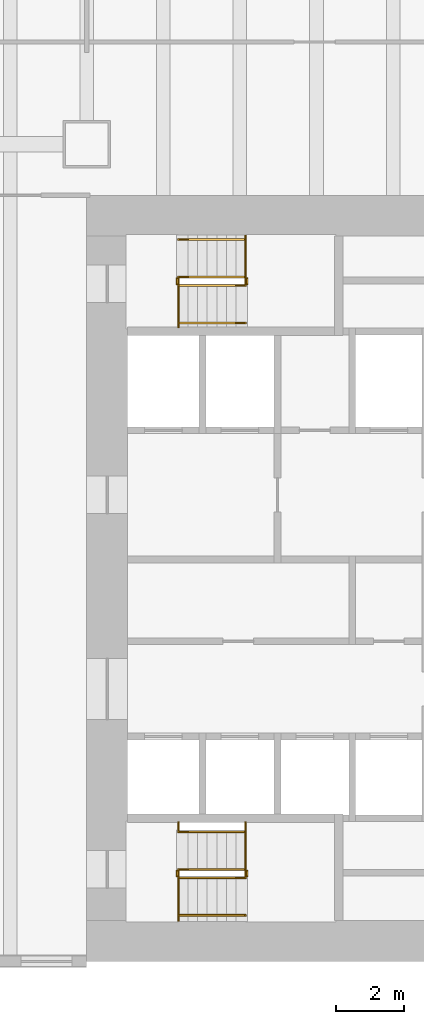
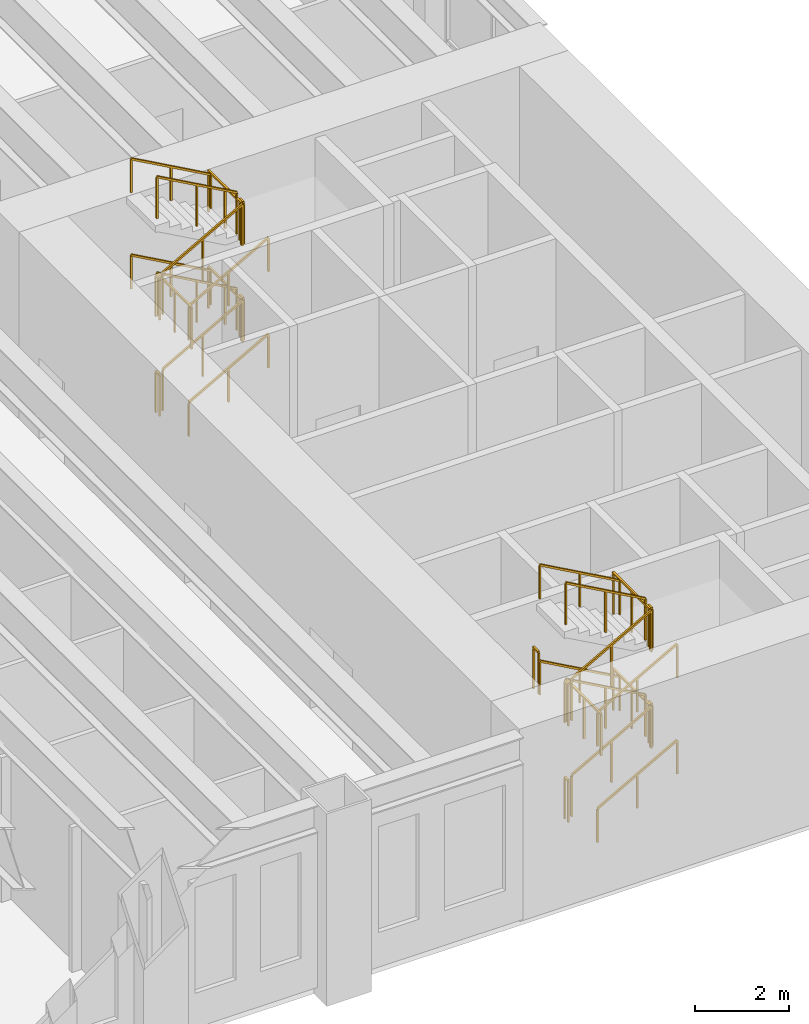
# One storey, part 18 of 19: 31 railings.
"""IFC4 building model written with IfcOpenShell, lengths in metres."""

from ifc_helpers import new_model, si_unit, direction, frame, origin, origin_2d, place, context, subcontext, project, spatial, rectangle, extrude, material, type_object, element, save


model = new_model("IFC4")

# Units and contexts
model_context = context("Model", 3, precision=1e-05, world=origin(), true_north=direction((0.0, 1.0)))
body_context = subcontext(model_context, "Body", "Model", "MODEL_VIEW")
ifc_project = project(units=[si_unit("LENGTHUNIT", "METRE"), si_unit("AREAUNIT", "SQUARE_METRE"), si_unit("VOLUMEUNIT", "CUBIC_METRE"), si_unit("PLANEANGLEUNIT", "RADIAN"), si_unit("MASSUNIT", "GRAM", prefix="KILO")], contexts=[model_context])

# Site, building, storey
site_placement = place(None, origin())
site = spatial("IfcSite", under=ifc_project, at=site_placement, CompositionType="ELEMENT")
building_placement = place(site_placement, origin())
building = spatial("IfcBuilding", under=site, at=building_placement, Name="Sennacour Bend Tower", CompositionType="ELEMENT")
storey_placement = place(building_placement, frame((0.0, 0.0, 19.0)))
storey = spatial("IfcBuildingStorey", under=building, at=storey_placement, Name="L03", CompositionType="ELEMENT", Elevation=19.0)

# Railings
ifc_material = material(Name="Stainless steel", Category="steel")
railing_type_1 = type_object("IfcRailingType", Name="RL-GUARD-1100", PredefinedType="GUARDRAIL", material=ifc_material)
railing_1_placement = place(storey_placement, frame((56.699951171875, 2.449951171875, 0.15625)))
element("IfcRailing", 1, at=railing_1_placement, inside=storey, type_object=railing_type_1, Name="L03 SA1 stair guard 1", PredefinedType="GUARDRAIL", context=body_context, shape_type="SweptSolid", body=[
    extrude(rectangle(XDim=0.048095703125, YDim=0.048095703125, at=origin_2d()), frame((0.0, 0.0, 1.076171875), z_axis=(0.873232148454, 0.0, 0.487304437602), x_axis=(0.0, 1.0, 0.0)), (0.0, 0.0, 1.0), 2.244384765625),
    extrude(rectangle(XDim=0.0419921875, YDim=0.0419921875, at=origin_2d()), origin(), (0.0, 0.0, 1.0), 1.052001953125),
    extrude(rectangle(XDim=0.0419921875, YDim=0.0419921875, at=origin_2d()), frame((0.97998046875, 0.0, 0.546875)), (0.0, 0.0, 1.0), 1.052001953125),
    extrude(rectangle(XDim=0.0419921875, YDim=0.0419921875, at=origin_2d()), frame((1.9599609375, 0.0, 1.09375)), (0.0, 0.0, 1.0), 1.052001953125),
])
railing_2_placement = place(storey_placement, frame((58.7099609375, 2.5, 1.25)))
element("IfcRailing", 2, at=railing_2_placement, inside=storey, type_object=railing_type_1, Name="L03 SA1 stair guard 2", PredefinedType="GUARDRAIL", context=body_context, shape_type="SweptSolid", body=[
    extrude(rectangle(XDim=0.048095703125, YDim=0.048095703125, at=origin_2d()), frame((0.0, 0.0, 1.076171875), z_axis=(0.0, 1.0, 0.0), x_axis=(-1.0, 0.0, 0.0)), (0.0, 0.0, 1.0), 0.14990234375),
    extrude(rectangle(XDim=0.0419921875, YDim=0.0419921875, at=origin_2d()), origin(), (0.0, 0.0, 1.0), 1.052001953125),
    extrude(rectangle(XDim=0.0419921875, YDim=0.0419921875, at=origin_2d()), frame((0.0, 0.14990234375, 0.0)), (0.0, 0.0, 1.0), 1.052001953125),
])
railing_3_placement = place(storey_placement, frame((58.659912109375, 2.699951171875, 1.40625)))
element("IfcRailing", 3, at=railing_3_placement, inside=storey, type_object=railing_type_1, Name="L03 SA1 stair guard 4", PredefinedType="GUARDRAIL", context=body_context, shape_type="SweptSolid", body=[
    extrude(rectangle(XDim=0.048095703125, YDim=0.048095703125, at=origin_2d()), frame((0.0, 0.0, 1.076171875), z_axis=(-0.873232148454, 0.0, 0.487304437602), x_axis=(0.0, -1.0, 0.0)), (0.0, 0.0, 1.0), 2.244384765625),
    extrude(rectangle(XDim=0.0419921875, YDim=0.0419921875, at=origin_2d()), origin(), (0.0, 0.0, 1.0), 1.052001953125),
    extrude(rectangle(XDim=0.0419921875, YDim=0.0419921875, at=origin_2d()), frame((-0.97998046875, 0.0, 0.546875)), (0.0, 0.0, 1.0), 1.052001953125),
    extrude(rectangle(XDim=0.0419921875, YDim=0.0419921875, at=origin_2d()), frame((-1.9599609375, 0.0, 1.09375)), (0.0, 0.0, 1.0), 1.052001953125),
])
railing_4_placement = place(storey_placement, frame((56.64990234375, 2.5, 2.5)))
element("IfcRailing", 4, at=railing_4_placement, inside=storey, type_object=railing_type_1, Name="L03 SA1 stair guard 5", PredefinedType="GUARDRAIL", context=body_context, shape_type="SweptSolid", body=[
    extrude(rectangle(XDim=0.048095703125, YDim=0.048095703125, at=origin_2d()), frame((0.0, 0.0, 1.076171875), z_axis=(0.0, 1.0, 0.0), x_axis=(-1.0, 0.0, 0.0)), (0.0, 0.0, 1.0), 0.14990234375),
    extrude(rectangle(XDim=0.0419921875, YDim=0.0419921875, at=origin_2d()), origin(), (0.0, 0.0, 1.0), 1.052001953125),
    extrude(rectangle(XDim=0.0419921875, YDim=0.0419921875, at=origin_2d()), frame((0.0, 0.14990234375, 0.0)), (0.0, 0.0, 1.0), 1.052001953125),
])
railing_5_placement = place(storey_placement, frame((56.699951171875, 2.449951171875, 2.65625)))
element("IfcRailing", 5, at=railing_5_placement, inside=storey, type_object=railing_type_1, Name="L03 SA1 stair guard 8", PredefinedType="GUARDRAIL", context=body_context, shape_type="SweptSolid", body=[
    extrude(rectangle(XDim=0.048095703125, YDim=0.048095703125, at=origin_2d()), frame((0.0, 0.0, 1.076171875), z_axis=(0.873232148454, 0.0, 0.487304437602), x_axis=(0.0, 1.0, 0.0)), (0.0, 0.0, 1.0), 2.244384765625),
    extrude(rectangle(XDim=0.0419921875, YDim=0.0419921875, at=origin_2d()), origin(), (0.0, 0.0, 1.0), 1.052001953125),
    extrude(rectangle(XDim=0.0419921875, YDim=0.0419921875, at=origin_2d()), frame((0.97998046875, 0.0, 0.546875)), (0.0, 0.0, 1.0), 1.052001953125),
    extrude(rectangle(XDim=0.0419921875, YDim=0.0419921875, at=origin_2d()), frame((1.9599609375, 0.0, 1.09375)), (0.0, 0.0, 1.0), 1.052001953125),
])
railing_6_placement = place(storey_placement, frame((58.7099609375, 2.5, 3.75)))
element("IfcRailing", 6, at=railing_6_placement, inside=storey, type_object=railing_type_1, Name="L03 SA1 stair guard 9", PredefinedType="GUARDRAIL", context=body_context, shape_type="SweptSolid", body=[
    extrude(rectangle(XDim=0.048095703125, YDim=0.048095703125, at=origin_2d()), frame((0.0, 0.0, 1.076171875), z_axis=(0.0, 1.0, 0.0), x_axis=(-1.0, 0.0, 0.0)), (0.0, 0.0, 1.0), 0.14990234375),
    extrude(rectangle(XDim=0.0419921875, YDim=0.0419921875, at=origin_2d()), origin(), (0.0, 0.0, 1.0), 1.052001953125),
    extrude(rectangle(XDim=0.0419921875, YDim=0.0419921875, at=origin_2d()), frame((0.0, 0.14990234375, 0.0)), (0.0, 0.0, 1.0), 1.052001953125),
])
railing_7_placement = place(storey_placement, frame((58.659912109375, 2.699951171875, 3.90625)))
element("IfcRailing", 7, at=railing_7_placement, inside=storey, type_object=railing_type_1, Name="L03 SA1 stair guard 11", PredefinedType="GUARDRAIL", context=body_context, shape_type="SweptSolid", body=[
    extrude(rectangle(XDim=0.048095703125, YDim=0.048095703125, at=origin_2d()), frame((0.0, 0.0, 1.076171875), z_axis=(-0.873232148454, 0.0, 0.487304437602), x_axis=(0.0, -1.0, 0.0)), (0.0, 0.0, 1.0), 2.244384765625),
    extrude(rectangle(XDim=0.0419921875, YDim=0.0419921875, at=origin_2d()), origin(), (0.0, 0.0, 1.0), 1.052001953125),
    extrude(rectangle(XDim=0.0419921875, YDim=0.0419921875, at=origin_2d()), frame((-0.97998046875, 0.0, 0.546875)), (0.0, 0.0, 1.0), 1.052001953125),
    extrude(rectangle(XDim=0.0419921875, YDim=0.0419921875, at=origin_2d()), frame((-1.9599609375, 0.0, 1.09375)), (0.0, 0.0, 1.0), 1.052001953125),
])
railing_8_placement = place(storey_placement, frame((56.64990234375, 2.5, 0.0)))
element("IfcRailing", 8, at=railing_8_placement, inside=storey, type_object=railing_type_1, Name="L03 SA1 stair guard 12", PredefinedType="GUARDRAIL", context=body_context, shape_type="SweptSolid", body=[
    extrude(rectangle(XDim=0.048095703125, YDim=0.048095703125, at=origin_2d()), frame((0.0, 0.0, 1.076171875), z_axis=(0.0, 1.0, 0.0), x_axis=(-1.0, 0.0, 0.0)), (0.0, 0.0, 1.0), 0.14990234375),
    extrude(rectangle(XDim=0.0419921875, YDim=0.0419921875, at=origin_2d()), origin(), (0.0, 0.0, 1.0), 1.052001953125),
    extrude(rectangle(XDim=0.0419921875, YDim=0.0419921875, at=origin_2d()), frame((0.0, 0.14990234375, 0.0)), (0.0, 0.0, 1.0), 1.052001953125),
])
railing_9_placement = place(storey_placement, frame((58.659912109375, 2.5, 1.25)))
element("IfcRailing", 9, at=railing_9_placement, inside=storey, type_object=railing_type_1, Name="L03 SA1 landing edge guard 12", PredefinedType="GUARDRAIL", context=body_context, shape_type="SweptSolid", body=[
    extrude(rectangle(XDim=0.048095703125, YDim=0.048095703125, at=origin_2d()), frame((0.0, 0.0, 1.076171875), z_axis=(0.0, 1.0, 0.0), x_axis=(-1.0, 0.0, 0.0)), (0.0, 0.0, 1.0), 1.574951171875),
    extrude(rectangle(XDim=0.0419921875, YDim=0.0419921875, at=origin_2d()), origin(), (0.0, 0.0, 1.0), 1.052001953125),
    extrude(rectangle(XDim=0.0419921875, YDim=0.0419921875, at=origin_2d()), frame((0.0, 0.78759765625, 0.0)), (0.0, 0.0, 1.0), 1.052001953125),
    extrude(rectangle(XDim=0.0419921875, YDim=0.0419921875, at=origin_2d()), frame((0.0, 1.574951171875, 0.0)), (0.0, 0.0, 1.0), 1.052001953125),
])
railing_10_placement = place(storey_placement, frame((56.699951171875, 4.074951171875, 2.5)))
element("IfcRailing", 10, at=railing_10_placement, inside=storey, type_object=railing_type_1, Name="L03 SA1 landing edge guard 13", PredefinedType="GUARDRAIL", context=body_context, shape_type="SweptSolid", body=[
    extrude(rectangle(XDim=0.048095703125, YDim=0.048095703125, at=origin_2d()), frame((0.0, 0.0, 1.076171875), z_axis=(0.0, -1.0, 0.0), x_axis=(1.0, 0.0, 0.0)), (0.0, 0.0, 1.0), 0.224853515625),
    extrude(rectangle(XDim=0.0419921875, YDim=0.0419921875, at=origin_2d()), origin(), (0.0, 0.0, 1.0), 1.052001953125),
    extrude(rectangle(XDim=0.0419921875, YDim=0.0419921875, at=origin_2d()), frame((0.0, -0.224853515625, 0.0)), (0.0, 0.0, 1.0), 1.052001953125),
])
railing_11_placement = place(storey_placement, frame((56.699951171875, 2.64990234375, 2.5)))
element("IfcRailing", 11, at=railing_11_placement, inside=storey, type_object=railing_type_1, Name="L03 SA1 landing edge guard 14", PredefinedType="GUARDRAIL", context=body_context, shape_type="SweptSolid", body=[
    extrude(rectangle(XDim=0.048095703125, YDim=0.048095703125, at=origin_2d()), frame((0.0, 0.0, 1.076171875), z_axis=(0.0, -1.0, 0.0), x_axis=(1.0, 0.0, 0.0)), (0.0, 0.0, 1.0), 1.449951171875),
    extrude(rectangle(XDim=0.0419921875, YDim=0.0419921875, at=origin_2d()), origin(), (0.0, 0.0, 1.0), 1.052001953125),
    extrude(rectangle(XDim=0.0419921875, YDim=0.0419921875, at=origin_2d()), frame((0.0, -0.72509765625, 0.0)), (0.0, 0.0, 1.0), 1.052001953125),
    extrude(rectangle(XDim=0.0419921875, YDim=0.0419921875, at=origin_2d()), frame((0.0, -1.449951171875, 0.0)), (0.0, 0.0, 1.0), 1.052001953125),
])
railing_12_placement = place(storey_placement, frame((58.659912109375, 2.5, 3.75)))
element("IfcRailing", 12, at=railing_12_placement, inside=storey, type_object=railing_type_1, Name="L03 SA1 landing edge guard 15", PredefinedType="GUARDRAIL", context=body_context, shape_type="SweptSolid", body=[
    extrude(rectangle(XDim=0.048095703125, YDim=0.048095703125, at=origin_2d()), frame((0.0, 0.0, 1.076171875), z_axis=(0.0, 1.0, 0.0), x_axis=(-1.0, 0.0, 0.0)), (0.0, 0.0, 1.0), 1.574951171875),
    extrude(rectangle(XDim=0.0419921875, YDim=0.0419921875, at=origin_2d()), origin(), (0.0, 0.0, 1.0), 1.052001953125),
    extrude(rectangle(XDim=0.0419921875, YDim=0.0419921875, at=origin_2d()), frame((0.0, 0.78759765625, 0.0)), (0.0, 0.0, 1.0), 1.052001953125),
    extrude(rectangle(XDim=0.0419921875, YDim=0.0419921875, at=origin_2d()), frame((0.0, 1.574951171875, 0.0)), (0.0, 0.0, 1.0), 1.052001953125),
])
railing_13_placement = place(storey_placement, frame((56.699951171875, 19.85009765625, 0.15625)))
element("IfcRailing", 13, at=railing_13_placement, inside=storey, type_object=railing_type_1, Name="L03 SA2 stair guard 1", PredefinedType="GUARDRAIL", context=body_context, shape_type="SweptSolid", body=[
    extrude(rectangle(XDim=0.048095703125, YDim=0.048095703125, at=origin_2d()), frame((0.0, 0.0, 1.076171875), z_axis=(0.873232148454, 0.0, 0.487304437602), x_axis=(0.0, 1.0, 0.0)), (0.0, 0.0, 1.0), 2.244384765625),
    extrude(rectangle(XDim=0.0419921875, YDim=0.0419921875, at=origin_2d()), origin(), (0.0, 0.0, 1.0), 1.052001953125),
    extrude(rectangle(XDim=0.0419921875, YDim=0.0419921875, at=origin_2d()), frame((0.97998046875, 0.0, 0.546875)), (0.0, 0.0, 1.0), 1.052001953125),
    extrude(rectangle(XDim=0.0419921875, YDim=0.0419921875, at=origin_2d()), frame((1.9599609375, 0.0, 1.09375)), (0.0, 0.0, 1.0), 1.052001953125),
])
railing_14_placement = place(storey_placement, frame((58.7099609375, 19.89990234375, 1.25)))
element("IfcRailing", 14, at=railing_14_placement, inside=storey, type_object=railing_type_1, Name="L03 SA2 stair guard 2", PredefinedType="GUARDRAIL", context=body_context, shape_type="SweptSolid", body=[
    extrude(rectangle(XDim=0.048095703125, YDim=0.048095703125, at=origin_2d()), frame((0.0, 0.0, 1.076171875), z_axis=(0.0, 1.0, 0.0), x_axis=(-1.0, 0.0, 0.0)), (0.0, 0.0, 1.0), 0.150146484375),
    extrude(rectangle(XDim=0.0419921875, YDim=0.0419921875, at=origin_2d()), origin(), (0.0, 0.0, 1.0), 1.052001953125),
    extrude(rectangle(XDim=0.0419921875, YDim=0.0419921875, at=origin_2d()), frame((0.0, 0.150146484375, 0.0)), (0.0, 0.0, 1.0), 1.052001953125),
])
railing_15_placement = place(storey_placement, frame((58.659912109375, 20.10009765625, 1.40625)))
element("IfcRailing", 15, at=railing_15_placement, inside=storey, type_object=railing_type_1, Name="L03 SA2 stair guard 4", PredefinedType="GUARDRAIL", context=body_context, shape_type="SweptSolid", body=[
    extrude(rectangle(XDim=0.048095703125, YDim=0.048095703125, at=origin_2d()), frame((0.0, 0.0, 1.076171875), z_axis=(-0.873232148454, 0.0, 0.487304437602), x_axis=(0.0, -1.0, 0.0)), (0.0, 0.0, 1.0), 2.244384765625),
    extrude(rectangle(XDim=0.0419921875, YDim=0.0419921875, at=origin_2d()), origin(), (0.0, 0.0, 1.0), 1.052001953125),
    extrude(rectangle(XDim=0.0419921875, YDim=0.0419921875, at=origin_2d()), frame((-0.97998046875, 0.0, 0.546875)), (0.0, 0.0, 1.0), 1.052001953125),
    extrude(rectangle(XDim=0.0419921875, YDim=0.0419921875, at=origin_2d()), frame((-1.9599609375, 0.0, 1.09375)), (0.0, 0.0, 1.0), 1.052001953125),
])
railing_16_placement = place(storey_placement, frame((56.64990234375, 19.89990234375, 2.5)))
element("IfcRailing", 16, at=railing_16_placement, inside=storey, type_object=railing_type_1, Name="L03 SA2 stair guard 5", PredefinedType="GUARDRAIL", context=body_context, shape_type="SweptSolid", body=[
    extrude(rectangle(XDim=0.048095703125, YDim=0.048095703125, at=origin_2d()), frame((0.0, 0.0, 1.076171875), z_axis=(0.0, 1.0, 0.0), x_axis=(-1.0, 0.0, 0.0)), (0.0, 0.0, 1.0), 0.150146484375),
    extrude(rectangle(XDim=0.0419921875, YDim=0.0419921875, at=origin_2d()), origin(), (0.0, 0.0, 1.0), 1.052001953125),
    extrude(rectangle(XDim=0.0419921875, YDim=0.0419921875, at=origin_2d()), frame((0.0, 0.150146484375, 0.0)), (0.0, 0.0, 1.0), 1.052001953125),
])
railing_17_placement = place(storey_placement, frame((56.699951171875, 19.85009765625, 2.65625)))
element("IfcRailing", 17, at=railing_17_placement, inside=storey, type_object=railing_type_1, Name="L03 SA2 stair guard 8", PredefinedType="GUARDRAIL", context=body_context, shape_type="SweptSolid", body=[
    extrude(rectangle(XDim=0.048095703125, YDim=0.048095703125, at=origin_2d()), frame((0.0, 0.0, 1.076171875), z_axis=(0.873232148454, 0.0, 0.487304437602), x_axis=(0.0, 1.0, 0.0)), (0.0, 0.0, 1.0), 2.244384765625),
    extrude(rectangle(XDim=0.0419921875, YDim=0.0419921875, at=origin_2d()), origin(), (0.0, 0.0, 1.0), 1.052001953125),
    extrude(rectangle(XDim=0.0419921875, YDim=0.0419921875, at=origin_2d()), frame((0.97998046875, 0.0, 0.546875)), (0.0, 0.0, 1.0), 1.052001953125),
    extrude(rectangle(XDim=0.0419921875, YDim=0.0419921875, at=origin_2d()), frame((1.9599609375, 0.0, 1.09375)), (0.0, 0.0, 1.0), 1.052001953125),
])
railing_18_placement = place(storey_placement, frame((58.7099609375, 19.89990234375, 3.75)))
element("IfcRailing", 18, at=railing_18_placement, inside=storey, type_object=railing_type_1, Name="L03 SA2 stair guard 9", PredefinedType="GUARDRAIL", context=body_context, shape_type="SweptSolid", body=[
    extrude(rectangle(XDim=0.048095703125, YDim=0.048095703125, at=origin_2d()), frame((0.0, 0.0, 1.076171875), z_axis=(0.0, 1.0, 0.0), x_axis=(-1.0, 0.0, 0.0)), (0.0, 0.0, 1.0), 0.150146484375),
    extrude(rectangle(XDim=0.0419921875, YDim=0.0419921875, at=origin_2d()), origin(), (0.0, 0.0, 1.0), 1.052001953125),
    extrude(rectangle(XDim=0.0419921875, YDim=0.0419921875, at=origin_2d()), frame((0.0, 0.150146484375, 0.0)), (0.0, 0.0, 1.0), 1.052001953125),
])
railing_19_placement = place(storey_placement, frame((58.659912109375, 20.10009765625, 3.90625)))
element("IfcRailing", 19, at=railing_19_placement, inside=storey, type_object=railing_type_1, Name="L03 SA2 stair guard 11", PredefinedType="GUARDRAIL", context=body_context, shape_type="SweptSolid", body=[
    extrude(rectangle(XDim=0.048095703125, YDim=0.048095703125, at=origin_2d()), frame((0.0, 0.0, 1.076171875), z_axis=(-0.873232148454, 0.0, 0.487304437602), x_axis=(0.0, -1.0, 0.0)), (0.0, 0.0, 1.0), 2.244384765625),
    extrude(rectangle(XDim=0.0419921875, YDim=0.0419921875, at=origin_2d()), origin(), (0.0, 0.0, 1.0), 1.052001953125),
    extrude(rectangle(XDim=0.0419921875, YDim=0.0419921875, at=origin_2d()), frame((-0.97998046875, 0.0, 0.546875)), (0.0, 0.0, 1.0), 1.052001953125),
    extrude(rectangle(XDim=0.0419921875, YDim=0.0419921875, at=origin_2d()), frame((-1.9599609375, 0.0, 1.09375)), (0.0, 0.0, 1.0), 1.052001953125),
])
railing_20_placement = place(storey_placement, frame((56.64990234375, 19.89990234375, 0.0)))
element("IfcRailing", 20, at=railing_20_placement, inside=storey, type_object=railing_type_1, Name="L03 SA2 stair guard 12", PredefinedType="GUARDRAIL", context=body_context, shape_type="SweptSolid", body=[
    extrude(rectangle(XDim=0.048095703125, YDim=0.048095703125, at=origin_2d()), frame((0.0, 0.0, 1.076171875), z_axis=(0.0, 1.0, 0.0), x_axis=(-1.0, 0.0, 0.0)), (0.0, 0.0, 1.0), 0.150146484375),
    extrude(rectangle(XDim=0.0419921875, YDim=0.0419921875, at=origin_2d()), origin(), (0.0, 0.0, 1.0), 1.052001953125),
    extrude(rectangle(XDim=0.0419921875, YDim=0.0419921875, at=origin_2d()), frame((0.0, 0.150146484375, 0.0)), (0.0, 0.0, 1.0), 1.052001953125),
])
railing_21_placement = place(storey_placement, frame((58.659912109375, 19.89990234375, 1.25)))
element("IfcRailing", 21, at=railing_21_placement, inside=storey, type_object=railing_type_1, Name="L03 SA2 landing edge guard 10", PredefinedType="GUARDRAIL", context=body_context, shape_type="SweptSolid", body=[
    extrude(rectangle(XDim=0.048095703125, YDim=0.048095703125, at=origin_2d()), frame((0.0, 0.0, 1.076171875), z_axis=(0.0, 1.0, 0.0), x_axis=(-1.0, 0.0, 0.0)), (0.0, 0.0, 1.0), 1.400146484375),
    extrude(rectangle(XDim=0.0419921875, YDim=0.0419921875, at=origin_2d()), origin(), (0.0, 0.0, 1.0), 1.052001953125),
    extrude(rectangle(XDim=0.0419921875, YDim=0.0419921875, at=origin_2d()), frame((0.0, 0.7001953125, 0.0)), (0.0, 0.0, 1.0), 1.052001953125),
    extrude(rectangle(XDim=0.0419921875, YDim=0.0419921875, at=origin_2d()), frame((0.0, 1.400146484375, 0.0)), (0.0, 0.0, 1.0), 1.052001953125),
])
railing_22_placement = place(storey_placement, frame((56.699951171875, 20.050048828125, 2.5)))
element("IfcRailing", 22, at=railing_22_placement, inside=storey, type_object=railing_type_1, Name="L03 SA2 landing edge guard 11", PredefinedType="GUARDRAIL", context=body_context, shape_type="SweptSolid", body=[
    extrude(rectangle(XDim=0.048095703125, YDim=0.048095703125, at=origin_2d()), frame((0.0, 0.0, 1.076171875), z_axis=(0.0, -1.0, 0.0), x_axis=(1.0, 0.0, 0.0)), (0.0, 0.0, 1.0), 1.425048828125),
    extrude(rectangle(XDim=0.0419921875, YDim=0.0419921875, at=origin_2d()), origin(), (0.0, 0.0, 1.0), 1.052001953125),
    extrude(rectangle(XDim=0.0419921875, YDim=0.0419921875, at=origin_2d()), frame((0.0, -0.71240234375, 0.0)), (0.0, 0.0, 1.0), 1.052001953125),
    extrude(rectangle(XDim=0.0419921875, YDim=0.0419921875, at=origin_2d()), frame((0.0, -1.425048828125, 0.0)), (0.0, 0.0, 1.0), 1.052001953125),
])
railing_23_placement = place(storey_placement, frame((58.659912109375, 19.89990234375, 3.75)))
element("IfcRailing", 23, at=railing_23_placement, inside=storey, type_object=railing_type_1, Name="L03 SA2 landing edge guard 12", PredefinedType="GUARDRAIL", context=body_context, shape_type="SweptSolid", body=[
    extrude(rectangle(XDim=0.048095703125, YDim=0.048095703125, at=origin_2d()), frame((0.0, 0.0, 1.076171875), z_axis=(0.0, 1.0, 0.0), x_axis=(-1.0, 0.0, 0.0)), (0.0, 0.0, 1.0), 1.400146484375),
    extrude(rectangle(XDim=0.0419921875, YDim=0.0419921875, at=origin_2d()), origin(), (0.0, 0.0, 1.0), 1.052001953125),
    extrude(rectangle(XDim=0.0419921875, YDim=0.0419921875, at=origin_2d()), frame((0.0, 0.7001953125, 0.0)), (0.0, 0.0, 1.0), 1.052001953125),
    extrude(rectangle(XDim=0.0419921875, YDim=0.0419921875, at=origin_2d()), frame((0.0, 1.400146484375, 0.0)), (0.0, 0.0, 1.0), 1.052001953125),
])
railing_type_2 = type_object("IfcRailingType", Name="RL-HANDRAIL-900", PredefinedType="HANDRAIL", material=ifc_material)
railing_24_placement = place(storey_placement, frame((56.699951171875, 1.35009765625, 0.15625)))
element("IfcRailing", 24, at=railing_24_placement, inside=storey, type_object=railing_type_2, Name="L03 SA1 stair handrail 1", PredefinedType="HANDRAIL", context=body_context, shape_type="SweptSolid", body=[
    extrude(rectangle(XDim=0.048095703125, YDim=0.048095703125, at=origin_2d()), frame((0.0, 0.0, 0.8759765625), z_axis=(0.873232148454, 0.0, 0.487304437602), x_axis=(0.0, 1.0, 0.0)), (0.0, 0.0, 1.0), 2.244384765625),
    extrude(rectangle(XDim=0.0419921875, YDim=0.0419921875, at=origin_2d()), origin(), (0.0, 0.0, 1.0), 0.851806640625),
    extrude(rectangle(XDim=0.0419921875, YDim=0.0419921875, at=origin_2d()), frame((0.97998046875, 0.0, 0.546875)), (0.0, 0.0, 1.0), 0.851806640625),
    extrude(rectangle(XDim=0.0419921875, YDim=0.0419921875, at=origin_2d()), frame((1.9599609375, 0.0, 1.09375)), (0.0, 0.0, 1.0), 0.851806640625),
])
railing_25_placement = place(storey_placement, frame((58.659912109375, 3.800048828125, 1.40625)))
element("IfcRailing", 25, at=railing_25_placement, inside=storey, type_object=railing_type_2, Name="L03 SA1 stair handrail 2", PredefinedType="HANDRAIL", context=body_context, shape_type="SweptSolid", body=[
    extrude(rectangle(XDim=0.048095703125, YDim=0.048095703125, at=origin_2d()), frame((0.0, 0.0, 0.8759765625), z_axis=(-0.873232148454, 0.0, 0.487304437602), x_axis=(0.0, -1.0, 0.0)), (0.0, 0.0, 1.0), 2.244384765625),
    extrude(rectangle(XDim=0.0419921875, YDim=0.0419921875, at=origin_2d()), origin(), (0.0, 0.0, 1.0), 0.851806640625),
    extrude(rectangle(XDim=0.0419921875, YDim=0.0419921875, at=origin_2d()), frame((-0.97998046875, 0.0, 0.546875)), (0.0, 0.0, 1.0), 0.851806640625),
    extrude(rectangle(XDim=0.0419921875, YDim=0.0419921875, at=origin_2d()), frame((-1.9599609375, 0.0, 1.09375)), (0.0, 0.0, 1.0), 0.851806640625),
])
railing_26_placement = place(storey_placement, frame((56.699951171875, 1.35009765625, 2.65625)))
element("IfcRailing", 26, at=railing_26_placement, inside=storey, type_object=railing_type_2, Name="L03 SA1 stair handrail 3", PredefinedType="HANDRAIL", context=body_context, shape_type="SweptSolid", body=[
    extrude(rectangle(XDim=0.048095703125, YDim=0.048095703125, at=origin_2d()), frame((0.0, 0.0, 0.8759765625), z_axis=(0.873232148454, 0.0, 0.487304437602), x_axis=(0.0, 1.0, 0.0)), (0.0, 0.0, 1.0), 2.244384765625),
    extrude(rectangle(XDim=0.0419921875, YDim=0.0419921875, at=origin_2d()), origin(), (0.0, 0.0, 1.0), 0.851806640625),
    extrude(rectangle(XDim=0.0419921875, YDim=0.0419921875, at=origin_2d()), frame((0.97998046875, 0.0, 0.546875)), (0.0, 0.0, 1.0), 0.851806640625),
    extrude(rectangle(XDim=0.0419921875, YDim=0.0419921875, at=origin_2d()), frame((1.9599609375, 0.0, 1.09375)), (0.0, 0.0, 1.0), 0.851806640625),
])
railing_27_placement = place(storey_placement, frame((58.659912109375, 3.800048828125, 3.90625)))
element("IfcRailing", 27, at=railing_27_placement, inside=storey, type_object=railing_type_2, Name="L03 SA1 stair handrail 4", PredefinedType="HANDRAIL", context=body_context, shape_type="SweptSolid", body=[
    extrude(rectangle(XDim=0.048095703125, YDim=0.048095703125, at=origin_2d()), frame((0.0, 0.0, 0.8759765625), z_axis=(-0.873232148454, 0.0, 0.487304437602), x_axis=(0.0, -1.0, 0.0)), (0.0, 0.0, 1.0), 2.244384765625),
    extrude(rectangle(XDim=0.0419921875, YDim=0.0419921875, at=origin_2d()), origin(), (0.0, 0.0, 1.0), 0.851806640625),
    extrude(rectangle(XDim=0.0419921875, YDim=0.0419921875, at=origin_2d()), frame((-0.97998046875, 0.0, 0.546875)), (0.0, 0.0, 1.0), 0.851806640625),
    extrude(rectangle(XDim=0.0419921875, YDim=0.0419921875, at=origin_2d()), frame((-1.9599609375, 0.0, 1.09375)), (0.0, 0.0, 1.0), 0.851806640625),
])
railing_28_placement = place(storey_placement, frame((56.699951171875, 18.75, 0.15625)))
element("IfcRailing", 28, at=railing_28_placement, inside=storey, type_object=railing_type_2, Name="L03 SA2 stair handrail 1", PredefinedType="HANDRAIL", context=body_context, shape_type="SweptSolid", body=[
    extrude(rectangle(XDim=0.048095703125, YDim=0.048095703125, at=origin_2d()), frame((0.0, 0.0, 0.8759765625), z_axis=(0.873232148454, 0.0, 0.487304437602), x_axis=(0.0, 1.0, 0.0)), (0.0, 0.0, 1.0), 2.244384765625),
    extrude(rectangle(XDim=0.0419921875, YDim=0.0419921875, at=origin_2d()), origin(), (0.0, 0.0, 1.0), 0.851806640625),
    extrude(rectangle(XDim=0.0419921875, YDim=0.0419921875, at=origin_2d()), frame((0.97998046875, 0.0, 0.546875)), (0.0, 0.0, 1.0), 0.851806640625),
    extrude(rectangle(XDim=0.0419921875, YDim=0.0419921875, at=origin_2d()), frame((1.9599609375, 0.0, 1.09375)), (0.0, 0.0, 1.0), 0.851806640625),
])
railing_29_placement = place(storey_placement, frame((58.659912109375, 21.199951171875, 1.40625)))
element("IfcRailing", 29, at=railing_29_placement, inside=storey, type_object=railing_type_2, Name="L03 SA2 stair handrail 2", PredefinedType="HANDRAIL", context=body_context, shape_type="SweptSolid", body=[
    extrude(rectangle(XDim=0.048095703125, YDim=0.048095703125, at=origin_2d()), frame((0.0, 0.0, 0.8759765625), z_axis=(-0.873232148454, 0.0, 0.487304437602), x_axis=(0.0, -1.0, 0.0)), (0.0, 0.0, 1.0), 2.244384765625),
    extrude(rectangle(XDim=0.0419921875, YDim=0.0419921875, at=origin_2d()), origin(), (0.0, 0.0, 1.0), 0.851806640625),
    extrude(rectangle(XDim=0.0419921875, YDim=0.0419921875, at=origin_2d()), frame((-0.97998046875, 0.0, 0.546875)), (0.0, 0.0, 1.0), 0.851806640625),
    extrude(rectangle(XDim=0.0419921875, YDim=0.0419921875, at=origin_2d()), frame((-1.9599609375, 0.0, 1.09375)), (0.0, 0.0, 1.0), 0.851806640625),
])
railing_30_placement = place(storey_placement, frame((56.699951171875, 18.75, 2.65625)))
element("IfcRailing", 30, at=railing_30_placement, inside=storey, type_object=railing_type_2, Name="L03 SA2 stair handrail 3", PredefinedType="HANDRAIL", context=body_context, shape_type="SweptSolid", body=[
    extrude(rectangle(XDim=0.048095703125, YDim=0.048095703125, at=origin_2d()), frame((0.0, 0.0, 0.8759765625), z_axis=(0.873232148454, 0.0, 0.487304437602), x_axis=(0.0, 1.0, 0.0)), (0.0, 0.0, 1.0), 2.244384765625),
    extrude(rectangle(XDim=0.0419921875, YDim=0.0419921875, at=origin_2d()), origin(), (0.0, 0.0, 1.0), 0.851806640625),
    extrude(rectangle(XDim=0.0419921875, YDim=0.0419921875, at=origin_2d()), frame((0.97998046875, 0.0, 0.546875)), (0.0, 0.0, 1.0), 0.851806640625),
    extrude(rectangle(XDim=0.0419921875, YDim=0.0419921875, at=origin_2d()), frame((1.9599609375, 0.0, 1.09375)), (0.0, 0.0, 1.0), 0.851806640625),
])
railing_31_placement = place(storey_placement, frame((58.659912109375, 21.199951171875, 3.90625)))
element("IfcRailing", 31, at=railing_31_placement, inside=storey, type_object=railing_type_2, Name="L03 SA2 stair handrail 4", PredefinedType="HANDRAIL", context=body_context, shape_type="SweptSolid", body=[
    extrude(rectangle(XDim=0.048095703125, YDim=0.048095703125, at=origin_2d()), frame((0.0, 0.0, 0.8759765625), z_axis=(-0.873232148454, 0.0, 0.487304437602), x_axis=(0.0, -1.0, 0.0)), (0.0, 0.0, 1.0), 2.244384765625),
    extrude(rectangle(XDim=0.0419921875, YDim=0.0419921875, at=origin_2d()), origin(), (0.0, 0.0, 1.0), 0.851806640625),
    extrude(rectangle(XDim=0.0419921875, YDim=0.0419921875, at=origin_2d()), frame((-0.97998046875, 0.0, 0.546875)), (0.0, 0.0, 1.0), 0.851806640625),
    extrude(rectangle(XDim=0.0419921875, YDim=0.0419921875, at=origin_2d()), frame((-1.9599609375, 0.0, 1.09375)), (0.0, 0.0, 1.0), 0.851806640625),
])

save(model, "model.ifc")
